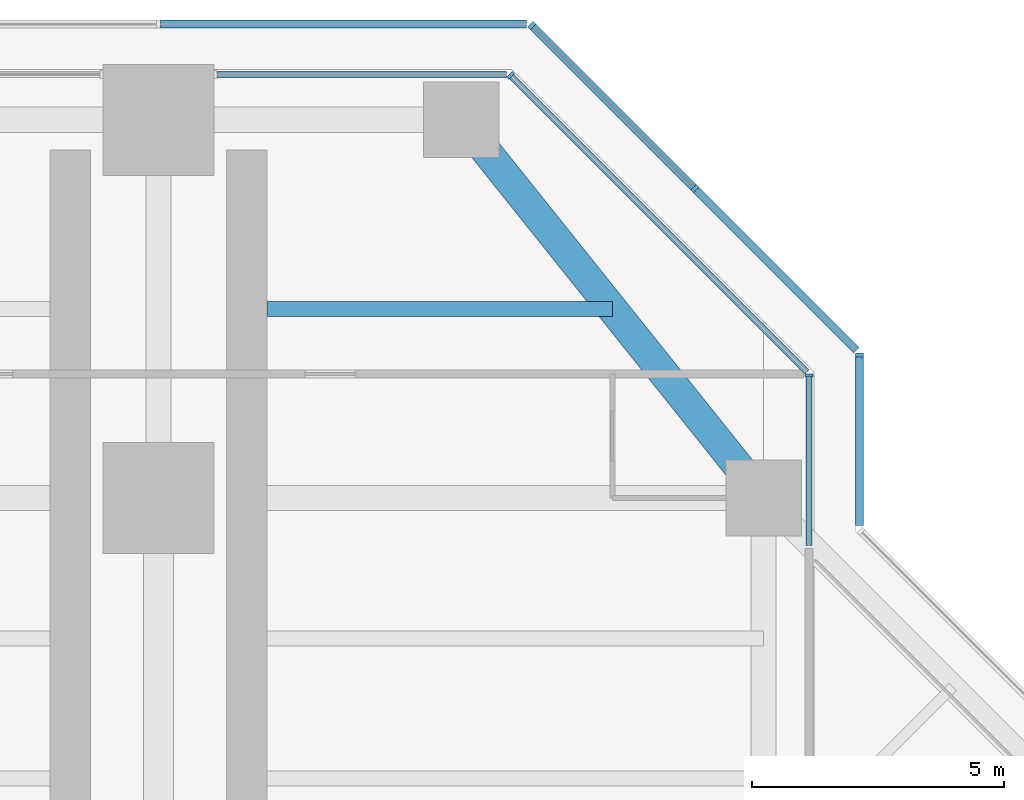
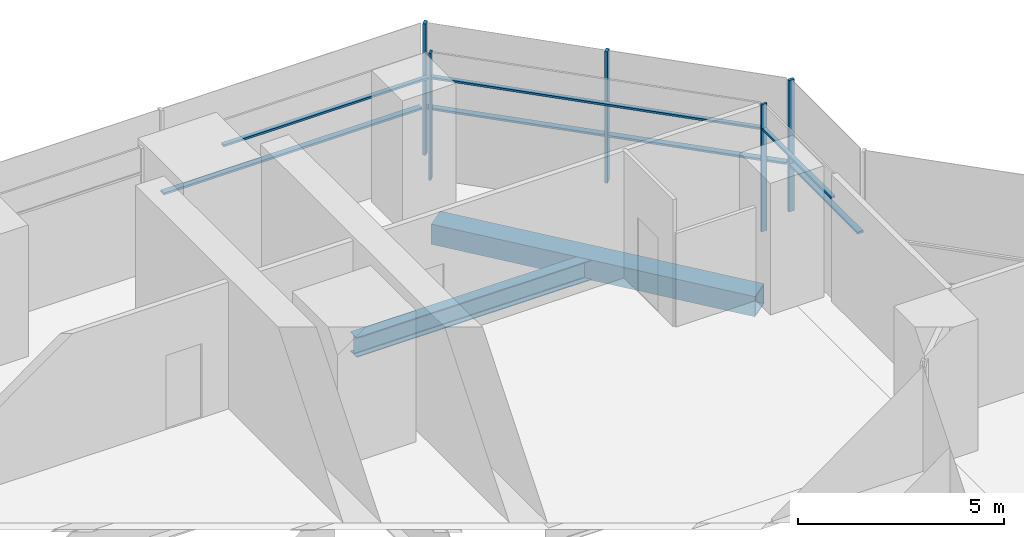
# One storey, part 9 of 17: 12 members, 2 beams, 6 elements without a shape of their own.
"""IFC4 building model written with IfcOpenShell, lengths in metres."""

from ifc_helpers import new_model, si_unit, direction, frame, origin, origin_2d, place, context, subcontext, project, spatial, rectangle, hollow_rectangle, i_section, extrude, material, material_profile, profile_set, type_object, element, aggregate, save


model = new_model("IFC4")

# Units and contexts
model_context = context("Model", 3, precision=1e-05, world=origin(), true_north=direction((0.0, 1.0)))
body_context = subcontext(model_context, "Body", "Model", "MODEL_VIEW")
ifc_project = project(units=[si_unit("LENGTHUNIT", "METRE"), si_unit("AREAUNIT", "SQUARE_METRE"), si_unit("VOLUMEUNIT", "CUBIC_METRE"), si_unit("PLANEANGLEUNIT", "RADIAN"), si_unit("MASSUNIT", "GRAM", prefix="KILO")], contexts=[model_context])

# Site, building, storey
site_placement = place(None, origin())
site = spatial("IfcSite", under=ifc_project, at=site_placement, CompositionType="ELEMENT")
building_placement = place(site_placement, origin())
building = spatial("IfcBuilding", under=site, at=building_placement, Name="Mizan Broadcast Tower", CompositionType="ELEMENT")
storey_placement = place(building_placement, frame((0.0, 0.0, 220.5)))
storey = spatial("IfcBuildingStorey", under=building, at=storey_placement, Name="L51", CompositionType="ELEMENT", Elevation=220.5)

# Beam
ifc_material_1 = material(Name="Steel S355", Category="steel")
ifc_material_profile_1 = material_profile(ifc_material_1, hollow_rectangle(XDim=0.60009765625, YDim=0.60009765625, WallThickness=0.030029296875, at=origin_2d()), Name="BOX 600x600x30")
ifc_profile_set_1 = profile_set([ifc_material_profile_1], Name="Steel S355")
beam_type_1 = type_object("IfcBeamType", Name="EDGE BEAM BOX 600x600x30", PredefinedType="SPANDREL", material=ifc_profile_set_1)
beam_1_placement = place(storey_placement, frame((11.639892578125, 19.949951171875, -0.429931640625), z_axis=(-0.624673911726, 0.780885717636, 0.0), x_axis=(-0.780885717636, -0.624673911726, 0.0)))
element("IfcBeam", 1, at=beam_1_placement, inside=storey, type_object=beam_type_1, Name="Edge beam BOX 600x600x30 L51 north arm", PredefinedType="SPANDREL", context=body_context, shape_type="SweptSolid", body=[
    extrude(hollow_rectangle(XDim=0.60009765625, YDim=0.60009765625, WallThickness=0.030029296875, at=origin_2d()), origin(), (0.0, 0.0, 1.0), 8.4521484375),
])

# Curtain wall, member
ifc_material_2 = material(Name="Aluminium framed glazing", Category="aluminium")
curtain_wall_type_1 = type_object("IfcCurtainWallType", Name="INNER SKIN HIGH ZONE", PredefinedType="USERDEFINED", material=ifc_material_2)
curtain_wall_1_placement = place(storey_placement, origin())
curtain_wall_1 = element("IfcCurtainWall", 2, at=curtain_wall_1_placement, inside=storey, type_object=curtain_wall_type_1, Name="Inner skin high zone L51 N side", ObjectType="INNER SKIN HIGH ZONE", PredefinedType="USERDEFINED")
ifc_material_3 = material(Name="Aluminium, pale anodised", Category="aluminium")
ifc_material_profile_2 = material_profile(ifc_material_3, rectangle(XDim=0.159912109375, YDim=0.06005859375, at=origin_2d()), Name="MULLION 160x60")
ifc_profile_set_2 = profile_set([ifc_material_profile_2], Name="Aluminium, pale anodised")
member_type_1 = type_object("IfcMemberType", Name="INNER SKIN MULLION 60x160", PredefinedType="MULLION", material=ifc_profile_set_2)
member_1_placement = place(storey_placement, frame((12.89990234375, 21.928466796875, 0.0), z_axis=(0.0, 0.0, 1.0), x_axis=(-1.0, 0.0, 0.0)))
member_1 = element("IfcMember", 3, at=member_1_placement, type_object=member_type_1, Name="Inner skin high zone L51 N side mullion 2", PredefinedType="MULLION", context=body_context, shape_type="SweptSolid", body=[
    extrude(rectangle(XDim=0.159912109375, YDim=0.06005859375, at=origin_2d()), origin(), (0.0, 0.0, 1.0), 3.77001953125),
])

curtain_wall_2_placement = place(storey_placement, origin())
curtain_wall_2 = element("IfcCurtainWall", 4, at=curtain_wall_2_placement, inside=storey, type_object=curtain_wall_type_1, Name="Inner skin high zone L51 N chamfer", ObjectType="INNER SKIN HIGH ZONE", PredefinedType="USERDEFINED")
member_2_placement = place(storey_placement, frame((6.979736328125, 27.87890625, 0.0), z_axis=(0.0, 0.0, 1.0), x_axis=(-0.707106781187, -0.707106781187, 0.0)))
member_2 = element("IfcMember", 5, at=member_2_placement, type_object=member_type_1, Name="Inner skin high zone L51 N chamfer mullion 2", PredefinedType="MULLION", context=body_context, shape_type="SweptSolid", body=[
    extrude(rectangle(XDim=0.159912109375, YDim=0.06005859375, at=origin_2d()), origin(), (0.0, 0.0, 1.0), 3.77001953125),
])

# Member
ifc_material_4 = material(Name="Aluminium, pale anodised", Category="aluminium")
ifc_material_profile_3 = material_profile(ifc_material_4, rectangle(XDim=0.1201171875, YDim=0.06005859375, at=origin_2d()), Name="TRANSOM 120x60")
ifc_profile_set_3 = profile_set([ifc_material_profile_3], Name="Aluminium, pale anodised")
member_type_2 = type_object("IfcMemberType", Name="INNER SKIN TRANSOM 60x120", PredefinedType="USERDEFINED", material=ifc_profile_set_3)
member_3_placement = place(storey_placement, frame((12.89990234375, 18.56005859375, 3.030029296875), z_axis=(0.0, 1.0, 0.0), x_axis=(-1.0, 0.0, 0.0)))
member_3 = element("IfcMember", 6, at=member_3_placement, type_object=member_type_2, Name="Inner skin high zone L51 N side transom 1.1", ObjectType="TRANSOM", PredefinedType="USERDEFINED", context=body_context, shape_type="SweptSolid", body=[
    extrude(rectangle(XDim=0.1201171875, YDim=0.06005859375, at=origin_2d()), origin(), (0.0, 0.0, 1.0), 3.338623046875),
])

aggregate(curtain_wall_1, [member_1, member_3])

member_4_placement = place(storey_placement, frame((12.857666015625, 22.0009765625, 3.030029296875), z_axis=(-0.707106781187, 0.707106781187, 0.0), x_axis=(-0.707106781187, -0.707106781187, 0.0)))
member_4 = element("IfcMember", 7, at=member_4_placement, type_object=member_type_2, Name="Inner skin high zone L51 N chamfer transom 1.1", ObjectType="TRANSOM", PredefinedType="USERDEFINED", context=body_context, shape_type="SweptSolid", body=[
    extrude(rectangle(XDim=0.1201171875, YDim=0.06005859375, at=origin_2d()), origin(), (0.0, 0.0, 1.0), 8.28271484375),
])

aggregate(curtain_wall_2, [member_2, member_4])

# Curtain wall, member
curtain_wall_3_placement = place(storey_placement, origin())
curtain_wall_3 = element("IfcCurtainWall", 8, at=curtain_wall_3_placement, inside=storey, type_object=curtain_wall_type_1, Name="Inner skin high zone L51 N end", ObjectType="INNER SKIN HIGH ZONE", PredefinedType="USERDEFINED")
member_5_placement = place(storey_placement, frame((6.898681640625, 27.89990234375, 3.030029296875), z_axis=(-1.0, 0.0, 0.0), x_axis=(0.0, -1.0, 0.0)))
member_5 = element("IfcMember", 9, at=member_5_placement, type_object=member_type_2, Name="Inner skin high zone L51 N end transom 1.1", ObjectType="TRANSOM", PredefinedType="USERDEFINED", context=body_context, shape_type="SweptSolid", body=[
    extrude(rectangle(XDim=0.1201171875, YDim=0.06005859375, at=origin_2d()), origin(), (0.0, 0.0, 1.0), 5.73876953125),
])
aggregate(curtain_wall_3, [member_5])

ifc_material_5 = material(Name="Aluminium framed glazing", Category="aluminium")
curtain_wall_type_2 = type_object("IfcCurtainWallType", Name="OUTER SKIN", PredefinedType="USERDEFINED", material=ifc_material_5)
curtain_wall_4_placement = place(storey_placement, origin())
curtain_wall_4 = element("IfcCurtainWall", 10, at=curtain_wall_4_placement, inside=storey, type_object=curtain_wall_type_2, Name="Outer skin L51 N side", ObjectType="OUTER SKIN", PredefinedType="USERDEFINED")
ifc_material_6 = material(Name="Aluminium, pale anodised", Category="aluminium")
ifc_material_profile_4 = material_profile(ifc_material_6, rectangle(XDim=0.159912109375, YDim=0.080078125, at=origin_2d()), Name="MULLION 160x80")
ifc_profile_set_4 = profile_set([ifc_material_profile_4], Name="Aluminium, pale anodised")
member_type_3 = type_object("IfcMemberType", Name="OUTER SKIN MULLION 80x160", PredefinedType="MULLION", material=ifc_profile_set_4)
member_6_placement = place(storey_placement, frame((13.89990234375, 22.332763671875, 0.0), z_axis=(0.0, 0.0, 1.0), x_axis=(-1.0, 0.0, 0.0)))
member_6 = element("IfcMember", 11, at=member_6_placement, type_object=member_type_3, Name="Outer skin L51 N side mullion 2", PredefinedType="MULLION", context=body_context, shape_type="SweptSolid", body=[
    extrude(rectangle(XDim=0.159912109375, YDim=0.080078125, at=origin_2d()), origin(), (0.0, 0.0, 1.0), 3.89990234375),
])

# Curtain wall, members
curtain_wall_5_placement = place(storey_placement, origin())
curtain_wall_5 = element("IfcCurtainWall", 12, at=curtain_wall_5_placement, inside=storey, type_object=curtain_wall_type_2, Name="Outer skin L51 N chamfer", ObjectType="OUTER SKIN", PredefinedType="USERDEFINED")
member_7_placement = place(storey_placement, frame((10.636474609375, 25.636474609375, 0.0), z_axis=(0.0, 0.0, 1.0), x_axis=(-0.707106781187, -0.707106781187, 0.0)))
member_7 = element("IfcMember", 13, at=member_7_placement, type_object=member_type_3, Name="Outer skin L51 N chamfer mullion 2", PredefinedType="MULLION", context=body_context, shape_type="SweptSolid", body=[
    extrude(rectangle(XDim=0.159912109375, YDim=0.080078125, at=origin_2d()), origin(), (0.0, 0.0, 1.0), 3.89990234375),
])
member_8_placement = place(storey_placement, frame((7.401123046875, 28.871826171875, 0.0), z_axis=(0.0, 0.0, 1.0), x_axis=(-0.707106781187, -0.707106781187, 0.0)))
member_8 = element("IfcMember", 14, at=member_8_placement, type_object=member_type_3, Name="Outer skin L51 N chamfer mullion 3", PredefinedType="MULLION", context=body_context, shape_type="SweptSolid", body=[
    extrude(rectangle(XDim=0.159912109375, YDim=0.080078125, at=origin_2d()), origin(), (0.0, 0.0, 1.0), 3.89990234375),
])

# Member
ifc_material_7 = material(Name="Aluminium, pale anodised", Category="aluminium")
ifc_material_profile_5 = material_profile(ifc_material_7, rectangle(XDim=0.159912109375, YDim=0.06005859375, at=origin_2d()), Name="TRANSOM 160x60")
ifc_profile_set_5 = profile_set([ifc_material_profile_5], Name="Aluminium, pale anodised")
member_type_4 = type_object("IfcMemberType", Name="OUTER SKIN TRANSOM 60x160", PredefinedType="USERDEFINED", material=ifc_profile_set_5)
member_9_placement = place(storey_placement, frame((13.89990234375, 18.952880859375, 1.39990234375), z_axis=(0.0, 1.0, 0.0), x_axis=(-1.0, 0.0, 0.0)))
member_9 = element("IfcMember", 15, at=member_9_placement, type_object=member_type_4, Name="Outer skin L51 N side transom 1.1", ObjectType="TRANSOM", PredefinedType="USERDEFINED", context=body_context, shape_type="SweptSolid", body=[
    extrude(rectangle(XDim=0.159912109375, YDim=0.06005859375, at=origin_2d()), origin(), (0.0, 0.0, 1.0), 3.33984375),
])

aggregate(curtain_wall_4, [member_6, member_9])

member_10_placement = place(storey_placement, frame((13.843505859375, 22.429443359375, 1.39990234375), z_axis=(-0.707106781187, 0.707106781187, 0.0), x_axis=(-0.707106781187, -0.707106781187, 0.0)))
member_10 = element("IfcMember", 16, at=member_10_placement, type_object=member_type_4, Name="Outer skin L51 N chamfer transom 1.1", ObjectType="TRANSOM", PredefinedType="USERDEFINED", context=body_context, shape_type="SweptSolid", body=[
    extrude(rectangle(XDim=0.159912109375, YDim=0.06005859375, at=origin_2d()), origin(), (0.0, 0.0, 1.0), 4.495361328125),
])

member_11_placement = place(storey_placement, frame((10.608154296875, 25.664794921875, 1.39990234375), z_axis=(-0.707106781187, 0.707106781187, 0.0), x_axis=(-0.707106781187, -0.707106781187, 0.0)))
member_11 = element("IfcMember", 17, at=member_11_placement, type_object=member_type_4, Name="Outer skin L51 N chamfer transom 2.1", ObjectType="TRANSOM", PredefinedType="USERDEFINED", context=body_context, shape_type="SweptSolid", body=[
    extrude(rectangle(XDim=0.159912109375, YDim=0.06005859375, at=origin_2d()), origin(), (0.0, 0.0, 1.0), 4.495361328125),
])

aggregate(curtain_wall_5, [member_7, member_8, member_10, member_11])

# Curtain wall, member
curtain_wall_6_placement = place(storey_placement, origin())
curtain_wall_6 = element("IfcCurtainWall", 18, at=curtain_wall_6_placement, inside=storey, type_object=curtain_wall_type_2, Name="Outer skin L51 N end", ObjectType="OUTER SKIN", PredefinedType="USERDEFINED")
member_12_placement = place(storey_placement, frame((7.292724609375, 28.89990234375, 1.39990234375), z_axis=(-1.0, 0.0, 0.0), x_axis=(0.0, -1.0, 0.0)))
member_12 = element("IfcMember", 19, at=member_12_placement, type_object=member_type_4, Name="Outer skin L51 N end transom 1.1", ObjectType="TRANSOM", PredefinedType="USERDEFINED", context=body_context, shape_type="SweptSolid", body=[
    extrude(rectangle(XDim=0.159912109375, YDim=0.06005859375, at=origin_2d()), origin(), (0.0, 0.0, 1.0), 7.252685546875),
])
aggregate(curtain_wall_6, [member_12])

# Beam
ifc_material_8 = material(Name="Steel S355", Category="steel")
ifc_material_profile_6 = material_profile(ifc_material_8, i_section(OverallWidth=0.300048828125, OverallDepth=0.590087890625, WebThickness=0.012939453125, FlangeThickness=0.02490234375, FilletRadius=0.027099609375, at=origin_2d()), Name="HEA 600")
ifc_profile_set_6 = profile_set([ifc_material_profile_6], Name="Steel S355")
beam_type_2 = type_object("IfcBeamType", Name="SECONDARY BEAM HEA 600", PredefinedType="JOIST", material=ifc_profile_set_6)
beam_2_placement = place(storey_placement, frame((9.0, 23.25, -0.425048828125), z_axis=(-1.0, 0.0, 0.0), x_axis=(0.0, -1.0, 0.0)))
element("IfcBeam", 20, at=beam_2_placement, inside=storey, type_object=beam_type_2, Name="Secondary beam HEA 600 L51 north arm", PredefinedType="JOIST", context=body_context, shape_type="SweptSolid", body=[
    extrude(i_section(OverallWidth=0.300048828125, OverallDepth=0.590087890625, WebThickness=0.012939453125, FlangeThickness=0.02490234375, FilletRadius=0.027099609375, at=origin_2d()), origin(), (0.0, 0.0, 1.0), 6.85009765625),
])

save(model, "model.ifc")
